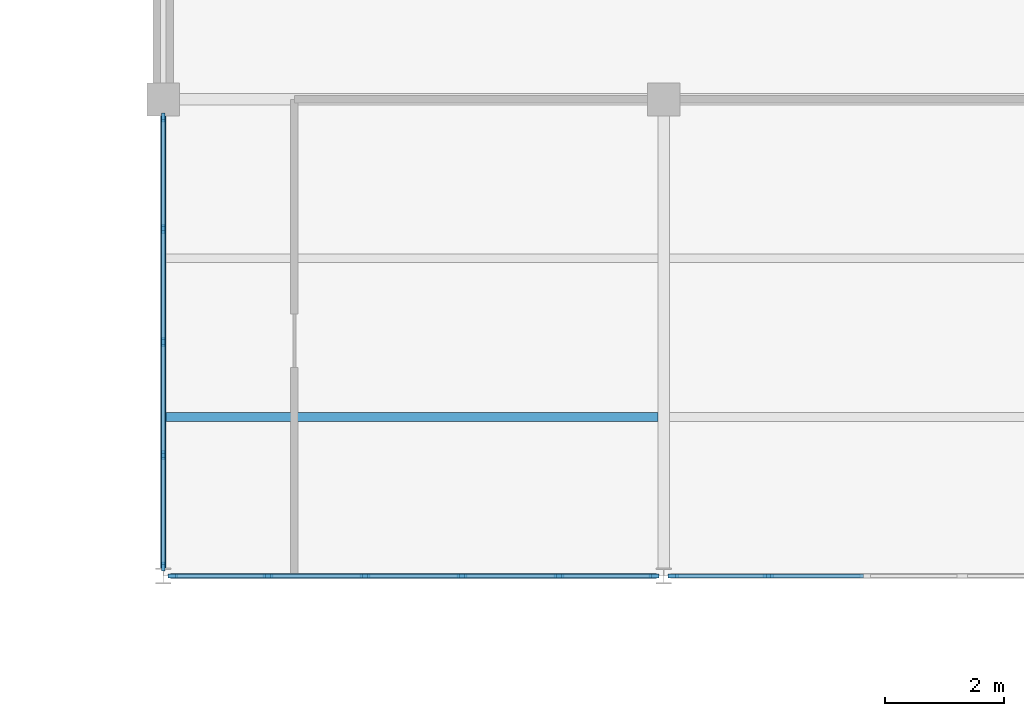
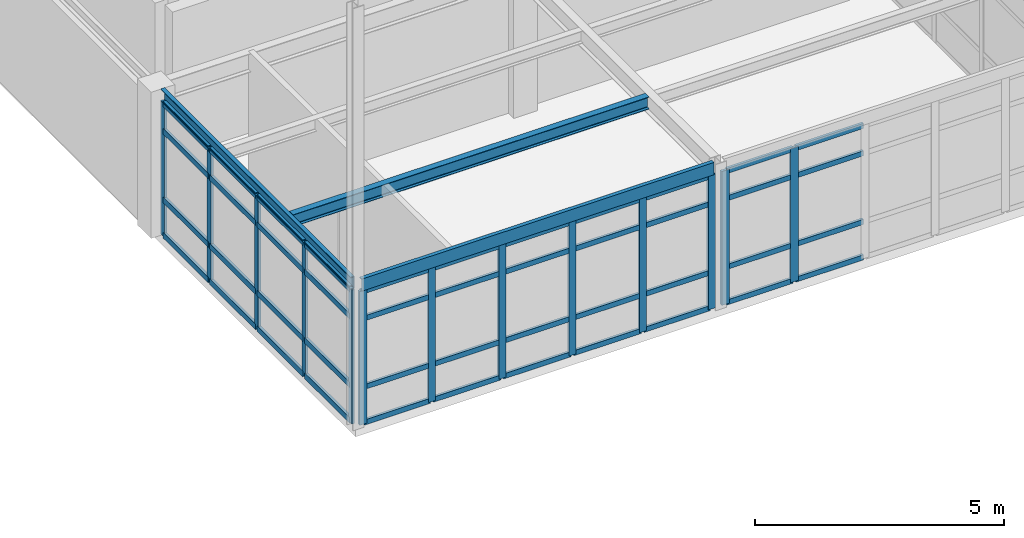
# One storey, part 16 of 53: 57 members, 3 beams, 3 elements without a shape of their own.
"""IFC4 building model written with IfcOpenShell, lengths in metres."""

from ifc_helpers import new_model, si_unit, direction, frame, origin, origin_2d, place, context, subcontext, project, spatial, rectangle, i_section, u_section, extrude, material, layer, layer_set, material_profile, profile_set, type_object, element, aggregate, save


model = new_model("IFC4")

# Units and contexts
model_context = context("Model", 3, precision=1e-05, world=origin(), true_north=direction((0.0, 1.0)))
body_context = subcontext(model_context, "Body", "Model", "MODEL_VIEW")
ifc_project = project(units=[si_unit("LENGTHUNIT", "METRE"), si_unit("AREAUNIT", "SQUARE_METRE"), si_unit("VOLUMEUNIT", "CUBIC_METRE"), si_unit("PLANEANGLEUNIT", "RADIAN"), si_unit("MASSUNIT", "GRAM", prefix="KILO")], contexts=[model_context])

# Site, building, storey
site_placement = place(None, origin())
site = spatial("IfcSite", under=ifc_project, at=site_placement, CompositionType="ELEMENT")
building_placement = place(site_placement, origin())
building = spatial("IfcBuilding", under=site, at=building_placement, Name="Kranzveld Transit Interchange", CompositionType="ELEMENT")
storey_placement = place(building_placement, frame((0.0, 0.0, 13.360107421875)))
storey = spatial("IfcBuildingStorey", under=building, at=storey_placement, Name="L03", CompositionType="ELEMENT", Elevation=13.360107421875)

# Curtain wall, members
ifc_material_1 = material(Name="Bronze-anodised thermally broken aluminium", Category="aluminium")
ifc_layer_1 = layer(ifc_material_1, 0.159912109375)
ifc_layer_set_1 = layer_set([ifc_layer_1], Name="Bronze-anodised thermally broken aluminium")
curtain_wall_type_1 = type_object("IfcCurtainWallType", Name="Bus Boarding Glazed Screen CW-3", PredefinedType="USERDEFINED", material=ifc_layer_set_1)
curtain_wall_1_placement = place(storey_placement, origin())
curtain_wall_1 = element("IfcCurtainWall", 1, at=curtain_wall_1_placement, inside=storey, type_object=curtain_wall_type_1, Name="L03 Curtain Wall 13/J-13/K", ObjectType="CURTAIN WALL", PredefinedType="USERDEFINED")
ifc_material_2 = material(Name="Bronze-anodised thermally broken aluminium", Category="aluminium")
ifc_material_profile_1 = material_profile(ifc_material_2, rectangle(XDim=0.06005859375, YDim=0.14990234375, at=origin_2d()), Name="ALU MULLION 60x150")
ifc_profile_set_1 = profile_set([ifc_material_profile_1], Name="Bronze-anodised thermally broken aluminium")
member_type_1 = type_object("IfcMemberType", Name="Curtain Wall Mullion 60x150 Alu", PredefinedType="MULLION", material=ifc_profile_set_1)
member_1_placement = place(storey_placement, frame((100.800048828125, 64.16015625, 0.0), z_axis=(0.0, 0.0, 1.0), x_axis=(-1.0, 0.0, 0.0)))
member_1 = element("IfcMember", 2, at=member_1_placement, type_object=member_type_1, Name="CW-3 mullion 1", PredefinedType="MULLION", context=body_context, shape_type="SweptSolid", body=[
    extrude(rectangle(XDim=0.06005859375, YDim=0.14990234375, at=origin_2d()), origin(), (0.0, 0.0, 1.0), 3.27978515625),
])
member_2_placement = place(storey_placement, frame((100.800048828125, 66.02880859375, 0.0), z_axis=(0.0, 0.0, 1.0), x_axis=(-1.0, 0.0, 0.0)))
member_2 = element("IfcMember", 3, at=member_2_placement, type_object=member_type_1, Name="CW-3 mullion 2", PredefinedType="MULLION", context=body_context, shape_type="SweptSolid", body=[
    extrude(rectangle(XDim=0.06005859375, YDim=0.14990234375, at=origin_2d()), origin(), (0.0, 0.0, 1.0), 3.27978515625),
])
member_3_placement = place(storey_placement, frame((100.800048828125, 67.927490234375, 0.0), z_axis=(0.0, 0.0, 1.0), x_axis=(-1.0, 0.0, 0.0)))
member_3 = element("IfcMember", 4, at=member_3_placement, type_object=member_type_1, Name="CW-3 mullion 3", PredefinedType="MULLION", context=body_context, shape_type="SweptSolid", body=[
    extrude(rectangle(XDim=0.06005859375, YDim=0.14990234375, at=origin_2d()), origin(), (0.0, 0.0, 1.0), 3.27978515625),
])
member_4_placement = place(storey_placement, frame((100.800048828125, 69.826171875, 0.0), z_axis=(0.0, 0.0, 1.0), x_axis=(-1.0, 0.0, 0.0)))
member_4 = element("IfcMember", 5, at=member_4_placement, type_object=member_type_1, Name="CW-3 mullion 4", PredefinedType="MULLION", context=body_context, shape_type="SweptSolid", body=[
    extrude(rectangle(XDim=0.06005859375, YDim=0.14990234375, at=origin_2d()), origin(), (0.0, 0.0, 1.0), 3.27978515625),
])
member_5_placement = place(storey_placement, frame((100.800048828125, 71.695068359375, 0.0), z_axis=(0.0, 0.0, 1.0), x_axis=(-1.0, 0.0, 0.0)))
member_5 = element("IfcMember", 6, at=member_5_placement, type_object=member_type_1, Name="CW-3 mullion 5", PredefinedType="MULLION", context=body_context, shape_type="SweptSolid", body=[
    extrude(rectangle(XDim=0.06005859375, YDim=0.14990234375, at=origin_2d()), origin(), (0.0, 0.0, 1.0), 3.27978515625),
])

ifc_material_3 = material(Name="Bronze-anodised thermally broken aluminium", Category="aluminium")
ifc_layer_2 = layer(ifc_material_3, 0.155029296875)
ifc_layer_set_2 = layer_set([ifc_layer_2], Name="Bronze-anodised thermally broken aluminium")
curtain_wall_type_2 = type_object("IfcCurtainWallType", Name="Operations Courtyard Glazed Screen CW-6", PredefinedType="USERDEFINED", material=ifc_layer_set_2)
curtain_wall_2_placement = place(storey_placement, origin())
curtain_wall_2 = element("IfcCurtainWall", 7, at=curtain_wall_2_placement, inside=storey, type_object=curtain_wall_type_2, Name="L03 Curtain Wall 13/J-14/J", ObjectType="CURTAIN WALL", PredefinedType="USERDEFINED")
ifc_material_4 = material(Name="Bronze-anodised thermally broken aluminium", Category="aluminium")
ifc_material_profile_2 = material_profile(ifc_material_4, rectangle(XDim=0.06494140625, YDim=0.1650390625, at=origin_2d()), Name="ALU MULLION 65x165")
ifc_profile_set_2 = profile_set([ifc_material_profile_2], Name="Bronze-anodised thermally broken aluminium")
member_type_2 = type_object("IfcMemberType", Name="Curtain Wall Mullion 65x165 Alu", PredefinedType="MULLION", material=ifc_profile_set_2)
member_6_placement = place(storey_placement, frame((100.960693359375, 64.0, 0.0), z_axis=(0.0, 0.0, 1.0), x_axis=(0.0, 1.0, 0.0)))
member_6 = element("IfcMember", 8, at=member_6_placement, type_object=member_type_2, Name="CW-6 mullion 1", PredefinedType="MULLION", context=body_context, shape_type="SweptSolid", body=[
    extrude(rectangle(XDim=0.06494140625, YDim=0.1650390625, at=origin_2d()), origin(), (0.0, 0.0, 1.0), 3.27978515625),
])
member_7_placement = place(storey_placement, frame((102.556884765625, 64.0, 0.0), z_axis=(0.0, 0.0, 1.0), x_axis=(0.0, 1.0, 0.0)))
member_7 = element("IfcMember", 9, at=member_7_placement, type_object=member_type_2, Name="CW-6 mullion 2", PredefinedType="MULLION", context=body_context, shape_type="SweptSolid", body=[
    extrude(rectangle(XDim=0.06494140625, YDim=0.1650390625, at=origin_2d()), origin(), (0.0, 0.0, 1.0), 3.27978515625),
])
member_8_placement = place(storey_placement, frame((104.185546875, 64.0, 0.0), z_axis=(0.0, 0.0, 1.0), x_axis=(0.0, 1.0, 0.0)))
member_8 = element("IfcMember", 10, at=member_8_placement, type_object=member_type_2, Name="CW-6 mullion 3", PredefinedType="MULLION", context=body_context, shape_type="SweptSolid", body=[
    extrude(rectangle(XDim=0.06494140625, YDim=0.1650390625, at=origin_2d()), origin(), (0.0, 0.0, 1.0), 3.27978515625),
])
member_9_placement = place(storey_placement, frame((105.814453125, 64.0, 0.0), z_axis=(0.0, 0.0, 1.0), x_axis=(0.0, 1.0, 0.0)))
member_9 = element("IfcMember", 11, at=member_9_placement, type_object=member_type_2, Name="CW-6 mullion 4", PredefinedType="MULLION", context=body_context, shape_type="SweptSolid", body=[
    extrude(rectangle(XDim=0.06494140625, YDim=0.1650390625, at=origin_2d()), origin(), (0.0, 0.0, 1.0), 3.27978515625),
])
member_10_placement = place(storey_placement, frame((107.443115234375, 64.0, 0.0), z_axis=(0.0, 0.0, 1.0), x_axis=(0.0, 1.0, 0.0)))
member_10 = element("IfcMember", 12, at=member_10_placement, type_object=member_type_2, Name="CW-6 mullion 5", PredefinedType="MULLION", context=body_context, shape_type="SweptSolid", body=[
    extrude(rectangle(XDim=0.06494140625, YDim=0.1650390625, at=origin_2d()), origin(), (0.0, 0.0, 1.0), 3.27978515625),
])
member_11_placement = place(storey_placement, frame((109.039306640625, 64.0, 0.0), z_axis=(0.0, 0.0, 1.0), x_axis=(0.0, 1.0, 0.0)))
member_11 = element("IfcMember", 13, at=member_11_placement, type_object=member_type_2, Name="CW-6 mullion 6", PredefinedType="MULLION", context=body_context, shape_type="SweptSolid", body=[
    extrude(rectangle(XDim=0.06494140625, YDim=0.1650390625, at=origin_2d()), origin(), (0.0, 0.0, 1.0), 3.27978515625),
])

ifc_material_5 = material(Name="Bronze-anodised thermally broken aluminium", Category="aluminium")
ifc_layer_3 = layer(ifc_material_5, 0.1650390625)
ifc_layer_set_3 = layer_set([ifc_layer_3], Name="Bronze-anodised thermally broken aluminium")
curtain_wall_type_3 = type_object("IfcCurtainWallType", Name="Sunny Court Arcade Curtain Wall CW-2", PredefinedType="USERDEFINED", material=ifc_layer_set_3)
curtain_wall_3_placement = place(storey_placement, origin())
curtain_wall_3 = element("IfcCurtainWall", 14, at=curtain_wall_3_placement, inside=storey, type_object=curtain_wall_type_3, Name="L03 Curtain Wall 14/J-15/J", ObjectType="CURTAIN WALL", PredefinedType="USERDEFINED")
ifc_material_6 = material(Name="Bronze-anodised thermally broken aluminium", Category="aluminium")
ifc_material_profile_3 = material_profile(ifc_material_6, rectangle(XDim=0.06494140625, YDim=0.179931640625, at=origin_2d()), Name="ALU MULLION 65x180")
ifc_profile_set_3 = profile_set([ifc_material_profile_3], Name="Bronze-anodised thermally broken aluminium")
member_type_3 = type_object("IfcMemberType", Name="Curtain Wall Mullion 65x180 Alu", PredefinedType="MULLION", material=ifc_profile_set_3)
member_12_placement = place(storey_placement, frame((109.360595703125, 64.0, 0.0), z_axis=(0.0, 0.0, 1.0), x_axis=(0.0, 1.0, 0.0)))
member_12 = element("IfcMember", 15, at=member_12_placement, type_object=member_type_3, Name="CW-2 mullion 1", PredefinedType="MULLION", context=body_context, shape_type="SweptSolid", body=[
    extrude(rectangle(XDim=0.06494140625, YDim=0.179931640625, at=origin_2d()), origin(), (0.0, 0.0, 1.0), 3.27978515625),
])
member_13_placement = place(storey_placement, frame((110.956787109375, 64.0, 0.0), z_axis=(0.0, 0.0, 1.0), x_axis=(0.0, 1.0, 0.0)))
member_13 = element("IfcMember", 16, at=member_13_placement, type_object=member_type_3, Name="CW-2 mullion 2", PredefinedType="MULLION", context=body_context, shape_type="SweptSolid", body=[
    extrude(rectangle(XDim=0.06494140625, YDim=0.179931640625, at=origin_2d()), origin(), (0.0, 0.0, 1.0), 3.27978515625),
])

# Member
ifc_material_7 = material(Name="Bronze-anodised thermally broken aluminium", Category="aluminium")
ifc_material_profile_4 = material_profile(ifc_material_7, rectangle(XDim=0.06005859375, YDim=0.125, at=origin_2d()), Name="ALU TRANSOM 60x125")
ifc_profile_set_4 = profile_set([ifc_material_profile_4], Name="Bronze-anodised thermally broken aluminium")
member_type_4 = type_object("IfcMemberType", Name="Curtain Wall Transom 60x125 Alu", PredefinedType="USERDEFINED", material=ifc_profile_set_4)
member_14_placement = place(storey_placement, frame((100.9931640625, 64.0, 0.02978515625), z_axis=(1.0, 0.0, 0.0), x_axis=(0.0, 1.0, 0.0)))
member_14 = element("IfcMember", 17, at=member_14_placement, type_object=member_type_4, Name="CW-6 transom 1.1", ObjectType="TRANSOM", PredefinedType="USERDEFINED", context=body_context, shape_type="SweptSolid", body=[
    extrude(rectangle(XDim=0.06005859375, YDim=0.125, at=origin_2d()), origin(), (0.0, 0.0, 1.0), 1.53125),
])

member_15_placement = place(storey_placement, frame((100.9931640625, 64.0, 0.89990234375), z_axis=(1.0, 0.0, 0.0), x_axis=(0.0, 1.0, 0.0)))
member_15 = element("IfcMember", 18, at=member_15_placement, type_object=member_type_4, Name="CW-6 transom 1.2", ObjectType="TRANSOM", PredefinedType="USERDEFINED", context=body_context, shape_type="SweptSolid", body=[
    extrude(rectangle(XDim=0.06005859375, YDim=0.125, at=origin_2d()), origin(), (0.0, 0.0, 1.0), 1.53125),
])

member_16_placement = place(storey_placement, frame((100.9931640625, 64.0, 2.579833984375), z_axis=(1.0, 0.0, 0.0), x_axis=(0.0, 1.0, 0.0)))
member_16 = element("IfcMember", 19, at=member_16_placement, type_object=member_type_4, Name="CW-6 transom 1.3", ObjectType="TRANSOM", PredefinedType="USERDEFINED", context=body_context, shape_type="SweptSolid", body=[
    extrude(rectangle(XDim=0.06005859375, YDim=0.125, at=origin_2d()), origin(), (0.0, 0.0, 1.0), 1.53125),
])

member_17_placement = place(storey_placement, frame((100.9931640625, 64.0, 3.25), z_axis=(1.0, 0.0, 0.0), x_axis=(0.0, 1.0, 0.0)))
member_17 = element("IfcMember", 20, at=member_17_placement, type_object=member_type_4, Name="CW-6 transom 1.4", ObjectType="TRANSOM", PredefinedType="USERDEFINED", context=body_context, shape_type="SweptSolid", body=[
    extrude(rectangle(XDim=0.06005859375, YDim=0.125, at=origin_2d()), origin(), (0.0, 0.0, 1.0), 1.53125),
])

member_18_placement = place(storey_placement, frame((102.58935546875, 64.0, 0.02978515625), z_axis=(1.0, 0.0, 0.0), x_axis=(0.0, 1.0, 0.0)))
member_18 = element("IfcMember", 21, at=member_18_placement, type_object=member_type_4, Name="CW-6 transom 2.1", ObjectType="TRANSOM", PredefinedType="USERDEFINED", context=body_context, shape_type="SweptSolid", body=[
    extrude(rectangle(XDim=0.06005859375, YDim=0.125, at=origin_2d()), origin(), (0.0, 0.0, 1.0), 1.563720703125),
])

member_19_placement = place(storey_placement, frame((102.58935546875, 64.0, 0.89990234375), z_axis=(1.0, 0.0, 0.0), x_axis=(0.0, 1.0, 0.0)))
member_19 = element("IfcMember", 22, at=member_19_placement, type_object=member_type_4, Name="CW-6 transom 2.2", ObjectType="TRANSOM", PredefinedType="USERDEFINED", context=body_context, shape_type="SweptSolid", body=[
    extrude(rectangle(XDim=0.06005859375, YDim=0.125, at=origin_2d()), origin(), (0.0, 0.0, 1.0), 1.563720703125),
])

member_20_placement = place(storey_placement, frame((102.58935546875, 64.0, 2.579833984375), z_axis=(1.0, 0.0, 0.0), x_axis=(0.0, 1.0, 0.0)))
member_20 = element("IfcMember", 23, at=member_20_placement, type_object=member_type_4, Name="CW-6 transom 2.3", ObjectType="TRANSOM", PredefinedType="USERDEFINED", context=body_context, shape_type="SweptSolid", body=[
    extrude(rectangle(XDim=0.06005859375, YDim=0.125, at=origin_2d()), origin(), (0.0, 0.0, 1.0), 1.563720703125),
])

member_21_placement = place(storey_placement, frame((102.58935546875, 64.0, 3.25), z_axis=(1.0, 0.0, 0.0), x_axis=(0.0, 1.0, 0.0)))
member_21 = element("IfcMember", 24, at=member_21_placement, type_object=member_type_4, Name="CW-6 transom 2.4", ObjectType="TRANSOM", PredefinedType="USERDEFINED", context=body_context, shape_type="SweptSolid", body=[
    extrude(rectangle(XDim=0.06005859375, YDim=0.125, at=origin_2d()), origin(), (0.0, 0.0, 1.0), 1.563720703125),
])

member_22_placement = place(storey_placement, frame((104.218017578125, 64.0, 0.02978515625), z_axis=(1.0, 0.0, 0.0), x_axis=(0.0, 1.0, 0.0)))
member_22 = element("IfcMember", 25, at=member_22_placement, type_object=member_type_4, Name="CW-6 transom 3.1", ObjectType="TRANSOM", PredefinedType="USERDEFINED", context=body_context, shape_type="SweptSolid", body=[
    extrude(rectangle(XDim=0.06005859375, YDim=0.125, at=origin_2d()), origin(), (0.0, 0.0, 1.0), 1.56396484375),
])

member_23_placement = place(storey_placement, frame((104.218017578125, 64.0, 0.89990234375), z_axis=(1.0, 0.0, 0.0), x_axis=(0.0, 1.0, 0.0)))
member_23 = element("IfcMember", 26, at=member_23_placement, type_object=member_type_4, Name="CW-6 transom 3.2", ObjectType="TRANSOM", PredefinedType="USERDEFINED", context=body_context, shape_type="SweptSolid", body=[
    extrude(rectangle(XDim=0.06005859375, YDim=0.125, at=origin_2d()), origin(), (0.0, 0.0, 1.0), 1.56396484375),
])

member_24_placement = place(storey_placement, frame((104.218017578125, 64.0, 2.579833984375), z_axis=(1.0, 0.0, 0.0), x_axis=(0.0, 1.0, 0.0)))
member_24 = element("IfcMember", 27, at=member_24_placement, type_object=member_type_4, Name="CW-6 transom 3.3", ObjectType="TRANSOM", PredefinedType="USERDEFINED", context=body_context, shape_type="SweptSolid", body=[
    extrude(rectangle(XDim=0.06005859375, YDim=0.125, at=origin_2d()), origin(), (0.0, 0.0, 1.0), 1.56396484375),
])

member_25_placement = place(storey_placement, frame((104.218017578125, 64.0, 3.25), z_axis=(1.0, 0.0, 0.0), x_axis=(0.0, 1.0, 0.0)))
member_25 = element("IfcMember", 28, at=member_25_placement, type_object=member_type_4, Name="CW-6 transom 3.4", ObjectType="TRANSOM", PredefinedType="USERDEFINED", context=body_context, shape_type="SweptSolid", body=[
    extrude(rectangle(XDim=0.06005859375, YDim=0.125, at=origin_2d()), origin(), (0.0, 0.0, 1.0), 1.56396484375),
])

member_26_placement = place(storey_placement, frame((105.846923828125, 64.0, 0.02978515625), z_axis=(1.0, 0.0, 0.0), x_axis=(0.0, 1.0, 0.0)))
member_26 = element("IfcMember", 29, at=member_26_placement, type_object=member_type_4, Name="CW-6 transom 4.1", ObjectType="TRANSOM", PredefinedType="USERDEFINED", context=body_context, shape_type="SweptSolid", body=[
    extrude(rectangle(XDim=0.06005859375, YDim=0.125, at=origin_2d()), origin(), (0.0, 0.0, 1.0), 1.563720703125),
])

member_27_placement = place(storey_placement, frame((105.846923828125, 64.0, 0.89990234375), z_axis=(1.0, 0.0, 0.0), x_axis=(0.0, 1.0, 0.0)))
member_27 = element("IfcMember", 30, at=member_27_placement, type_object=member_type_4, Name="CW-6 transom 4.2", ObjectType="TRANSOM", PredefinedType="USERDEFINED", context=body_context, shape_type="SweptSolid", body=[
    extrude(rectangle(XDim=0.06005859375, YDim=0.125, at=origin_2d()), origin(), (0.0, 0.0, 1.0), 1.563720703125),
])

member_28_placement = place(storey_placement, frame((105.846923828125, 64.0, 2.579833984375), z_axis=(1.0, 0.0, 0.0), x_axis=(0.0, 1.0, 0.0)))
member_28 = element("IfcMember", 31, at=member_28_placement, type_object=member_type_4, Name="CW-6 transom 4.3", ObjectType="TRANSOM", PredefinedType="USERDEFINED", context=body_context, shape_type="SweptSolid", body=[
    extrude(rectangle(XDim=0.06005859375, YDim=0.125, at=origin_2d()), origin(), (0.0, 0.0, 1.0), 1.563720703125),
])

member_29_placement = place(storey_placement, frame((105.846923828125, 64.0, 3.25), z_axis=(1.0, 0.0, 0.0), x_axis=(0.0, 1.0, 0.0)))
member_29 = element("IfcMember", 32, at=member_29_placement, type_object=member_type_4, Name="CW-6 transom 4.4", ObjectType="TRANSOM", PredefinedType="USERDEFINED", context=body_context, shape_type="SweptSolid", body=[
    extrude(rectangle(XDim=0.06005859375, YDim=0.125, at=origin_2d()), origin(), (0.0, 0.0, 1.0), 1.563720703125),
])

member_30_placement = place(storey_placement, frame((107.4755859375, 64.0, 0.02978515625), z_axis=(1.0, 0.0, 0.0), x_axis=(0.0, 1.0, 0.0)))
member_30 = element("IfcMember", 33, at=member_30_placement, type_object=member_type_4, Name="CW-6 transom 5.1", ObjectType="TRANSOM", PredefinedType="USERDEFINED", context=body_context, shape_type="SweptSolid", body=[
    extrude(rectangle(XDim=0.06005859375, YDim=0.125, at=origin_2d()), origin(), (0.0, 0.0, 1.0), 1.53125),
])

member_31_placement = place(storey_placement, frame((107.4755859375, 64.0, 0.89990234375), z_axis=(1.0, 0.0, 0.0), x_axis=(0.0, 1.0, 0.0)))
member_31 = element("IfcMember", 34, at=member_31_placement, type_object=member_type_4, Name="CW-6 transom 5.2", ObjectType="TRANSOM", PredefinedType="USERDEFINED", context=body_context, shape_type="SweptSolid", body=[
    extrude(rectangle(XDim=0.06005859375, YDim=0.125, at=origin_2d()), origin(), (0.0, 0.0, 1.0), 1.53125),
])

member_32_placement = place(storey_placement, frame((107.4755859375, 64.0, 2.579833984375), z_axis=(1.0, 0.0, 0.0), x_axis=(0.0, 1.0, 0.0)))
member_32 = element("IfcMember", 35, at=member_32_placement, type_object=member_type_4, Name="CW-6 transom 5.3", ObjectType="TRANSOM", PredefinedType="USERDEFINED", context=body_context, shape_type="SweptSolid", body=[
    extrude(rectangle(XDim=0.06005859375, YDim=0.125, at=origin_2d()), origin(), (0.0, 0.0, 1.0), 1.53125),
])

member_33_placement = place(storey_placement, frame((107.4755859375, 64.0, 3.25), z_axis=(1.0, 0.0, 0.0), x_axis=(0.0, 1.0, 0.0)))
member_33 = element("IfcMember", 36, at=member_33_placement, type_object=member_type_4, Name="CW-6 transom 5.4", ObjectType="TRANSOM", PredefinedType="USERDEFINED", context=body_context, shape_type="SweptSolid", body=[
    extrude(rectangle(XDim=0.06005859375, YDim=0.125, at=origin_2d()), origin(), (0.0, 0.0, 1.0), 1.53125),
])

aggregate(curtain_wall_2, [member_6, member_7, member_8, member_9, member_10, member_11, member_14, member_15, member_16, member_17, member_18, member_19, member_20, member_21, member_22, member_23, member_24, member_25, member_26, member_27, member_28, member_29, member_30, member_31, member_32, member_33])

member_34_placement = place(storey_placement, frame((109.39306640625, 64.0, 0.02978515625), z_axis=(1.0, 0.0, 0.0), x_axis=(0.0, 1.0, 0.0)))
member_34 = element("IfcMember", 37, at=member_34_placement, type_object=member_type_4, Name="CW-2 transom 1.1", ObjectType="TRANSOM", PredefinedType="USERDEFINED", context=body_context, shape_type="SweptSolid", body=[
    extrude(rectangle(XDim=0.06005859375, YDim=0.125, at=origin_2d()), origin(), (0.0, 0.0, 1.0), 1.53125),
])

member_35_placement = place(storey_placement, frame((109.39306640625, 64.0, 0.89990234375), z_axis=(1.0, 0.0, 0.0), x_axis=(0.0, 1.0, 0.0)))
member_35 = element("IfcMember", 38, at=member_35_placement, type_object=member_type_4, Name="CW-2 transom 1.2", ObjectType="TRANSOM", PredefinedType="USERDEFINED", context=body_context, shape_type="SweptSolid", body=[
    extrude(rectangle(XDim=0.06005859375, YDim=0.125, at=origin_2d()), origin(), (0.0, 0.0, 1.0), 1.53125),
])

member_36_placement = place(storey_placement, frame((109.39306640625, 64.0, 2.579833984375), z_axis=(1.0, 0.0, 0.0), x_axis=(0.0, 1.0, 0.0)))
member_36 = element("IfcMember", 39, at=member_36_placement, type_object=member_type_4, Name="CW-2 transom 1.3", ObjectType="TRANSOM", PredefinedType="USERDEFINED", context=body_context, shape_type="SweptSolid", body=[
    extrude(rectangle(XDim=0.06005859375, YDim=0.125, at=origin_2d()), origin(), (0.0, 0.0, 1.0), 1.53125),
])

member_37_placement = place(storey_placement, frame((109.39306640625, 64.0, 3.25), z_axis=(1.0, 0.0, 0.0), x_axis=(0.0, 1.0, 0.0)))
member_37 = element("IfcMember", 40, at=member_37_placement, type_object=member_type_4, Name="CW-2 transom 1.4", ObjectType="TRANSOM", PredefinedType="USERDEFINED", context=body_context, shape_type="SweptSolid", body=[
    extrude(rectangle(XDim=0.06005859375, YDim=0.125, at=origin_2d()), origin(), (0.0, 0.0, 1.0), 1.53125),
])

member_38_placement = place(storey_placement, frame((110.9892578125, 64.0, 0.02978515625), z_axis=(1.0, 0.0, 0.0), x_axis=(0.0, 1.0, 0.0)))
member_38 = element("IfcMember", 41, at=member_38_placement, type_object=member_type_4, Name="CW-2 transom 2.1", ObjectType="TRANSOM", PredefinedType="USERDEFINED", context=body_context, shape_type="SweptSolid", body=[
    extrude(rectangle(XDim=0.06005859375, YDim=0.125, at=origin_2d()), origin(), (0.0, 0.0, 1.0), 1.56396484375),
])

member_39_placement = place(storey_placement, frame((110.9892578125, 64.0, 0.89990234375), z_axis=(1.0, 0.0, 0.0), x_axis=(0.0, 1.0, 0.0)))
member_39 = element("IfcMember", 42, at=member_39_placement, type_object=member_type_4, Name="CW-2 transom 2.2", ObjectType="TRANSOM", PredefinedType="USERDEFINED", context=body_context, shape_type="SweptSolid", body=[
    extrude(rectangle(XDim=0.06005859375, YDim=0.125, at=origin_2d()), origin(), (0.0, 0.0, 1.0), 1.56396484375),
])

member_40_placement = place(storey_placement, frame((110.9892578125, 64.0, 2.579833984375), z_axis=(1.0, 0.0, 0.0), x_axis=(0.0, 1.0, 0.0)))
member_40 = element("IfcMember", 43, at=member_40_placement, type_object=member_type_4, Name="CW-2 transom 2.3", ObjectType="TRANSOM", PredefinedType="USERDEFINED", context=body_context, shape_type="SweptSolid", body=[
    extrude(rectangle(XDim=0.06005859375, YDim=0.125, at=origin_2d()), origin(), (0.0, 0.0, 1.0), 1.56396484375),
])

member_41_placement = place(storey_placement, frame((110.9892578125, 64.0, 3.25), z_axis=(1.0, 0.0, 0.0), x_axis=(0.0, 1.0, 0.0)))
member_41 = element("IfcMember", 44, at=member_41_placement, type_object=member_type_4, Name="CW-2 transom 2.4", ObjectType="TRANSOM", PredefinedType="USERDEFINED", context=body_context, shape_type="SweptSolid", body=[
    extrude(rectangle(XDim=0.06005859375, YDim=0.125, at=origin_2d()), origin(), (0.0, 0.0, 1.0), 1.56396484375),
])

aggregate(curtain_wall_3, [member_12, member_13, member_34, member_35, member_36, member_37, member_38, member_39, member_40, member_41])

ifc_material_8 = material(Name="Bronze-anodised thermally broken aluminium", Category="aluminium")
ifc_material_profile_5 = material_profile(ifc_material_8, rectangle(XDim=0.06494140625, YDim=0.139892578125, at=origin_2d()), Name="ALU TRANSOM 65x140")
ifc_profile_set_5 = profile_set([ifc_material_profile_5], Name="Bronze-anodised thermally broken aluminium")
member_type_5 = type_object("IfcMemberType", Name="Curtain Wall Transom 65x140 Alu", PredefinedType="USERDEFINED", material=ifc_profile_set_5)
member_42_placement = place(storey_placement, frame((100.800048828125, 64.190185546875, 0.032470703125), z_axis=(0.0, 1.0, 0.0), x_axis=(-1.0, 0.0, 0.0)))
member_42 = element("IfcMember", 45, at=member_42_placement, type_object=member_type_5, Name="CW-3 transom 1.1", ObjectType="TRANSOM", PredefinedType="USERDEFINED", context=body_context, shape_type="SweptSolid", body=[
    extrude(rectangle(XDim=0.06494140625, YDim=0.139892578125, at=origin_2d()), origin(), (0.0, 0.0, 1.0), 1.80859375),
])

member_43_placement = place(storey_placement, frame((100.800048828125, 64.190185546875, 0.89990234375), z_axis=(0.0, 1.0, 0.0), x_axis=(-1.0, 0.0, 0.0)))
member_43 = element("IfcMember", 46, at=member_43_placement, type_object=member_type_5, Name="CW-3 transom 1.2", ObjectType="TRANSOM", PredefinedType="USERDEFINED", context=body_context, shape_type="SweptSolid", body=[
    extrude(rectangle(XDim=0.06494140625, YDim=0.139892578125, at=origin_2d()), origin(), (0.0, 0.0, 1.0), 1.80859375),
])

member_44_placement = place(storey_placement, frame((100.800048828125, 64.190185546875, 2.579833984375), z_axis=(0.0, 1.0, 0.0), x_axis=(-1.0, 0.0, 0.0)))
member_44 = element("IfcMember", 47, at=member_44_placement, type_object=member_type_5, Name="CW-3 transom 1.3", ObjectType="TRANSOM", PredefinedType="USERDEFINED", context=body_context, shape_type="SweptSolid", body=[
    extrude(rectangle(XDim=0.06494140625, YDim=0.139892578125, at=origin_2d()), origin(), (0.0, 0.0, 1.0), 1.80859375),
])

member_45_placement = place(storey_placement, frame((100.800048828125, 64.190185546875, 3.247314453125), z_axis=(0.0, 1.0, 0.0), x_axis=(-1.0, 0.0, 0.0)))
member_45 = element("IfcMember", 48, at=member_45_placement, type_object=member_type_5, Name="CW-3 transom 1.4", ObjectType="TRANSOM", PredefinedType="USERDEFINED", context=body_context, shape_type="SweptSolid", body=[
    extrude(rectangle(XDim=0.06494140625, YDim=0.139892578125, at=origin_2d()), origin(), (0.0, 0.0, 1.0), 1.80859375),
])

member_46_placement = place(storey_placement, frame((100.800048828125, 66.058837890625, 0.032470703125), z_axis=(0.0, 1.0, 0.0), x_axis=(-1.0, 0.0, 0.0)))
member_46 = element("IfcMember", 49, at=member_46_placement, type_object=member_type_5, Name="CW-3 transom 2.1", ObjectType="TRANSOM", PredefinedType="USERDEFINED", context=body_context, shape_type="SweptSolid", body=[
    extrude(rectangle(XDim=0.06494140625, YDim=0.139892578125, at=origin_2d()), origin(), (0.0, 0.0, 1.0), 1.838623046875),
])

member_47_placement = place(storey_placement, frame((100.800048828125, 66.058837890625, 0.89990234375), z_axis=(0.0, 1.0, 0.0), x_axis=(-1.0, 0.0, 0.0)))
member_47 = element("IfcMember", 50, at=member_47_placement, type_object=member_type_5, Name="CW-3 transom 2.2", ObjectType="TRANSOM", PredefinedType="USERDEFINED", context=body_context, shape_type="SweptSolid", body=[
    extrude(rectangle(XDim=0.06494140625, YDim=0.139892578125, at=origin_2d()), origin(), (0.0, 0.0, 1.0), 1.838623046875),
])

member_48_placement = place(storey_placement, frame((100.800048828125, 66.058837890625, 2.579833984375), z_axis=(0.0, 1.0, 0.0), x_axis=(-1.0, 0.0, 0.0)))
member_48 = element("IfcMember", 51, at=member_48_placement, type_object=member_type_5, Name="CW-3 transom 2.3", ObjectType="TRANSOM", PredefinedType="USERDEFINED", context=body_context, shape_type="SweptSolid", body=[
    extrude(rectangle(XDim=0.06494140625, YDim=0.139892578125, at=origin_2d()), origin(), (0.0, 0.0, 1.0), 1.838623046875),
])

member_49_placement = place(storey_placement, frame((100.800048828125, 66.058837890625, 3.247314453125), z_axis=(0.0, 1.0, 0.0), x_axis=(-1.0, 0.0, 0.0)))
member_49 = element("IfcMember", 52, at=member_49_placement, type_object=member_type_5, Name="CW-3 transom 2.4", ObjectType="TRANSOM", PredefinedType="USERDEFINED", context=body_context, shape_type="SweptSolid", body=[
    extrude(rectangle(XDim=0.06494140625, YDim=0.139892578125, at=origin_2d()), origin(), (0.0, 0.0, 1.0), 1.838623046875),
])

member_50_placement = place(storey_placement, frame((100.800048828125, 67.95751953125, 0.032470703125), z_axis=(0.0, 1.0, 0.0), x_axis=(-1.0, 0.0, 0.0)))
member_50 = element("IfcMember", 53, at=member_50_placement, type_object=member_type_5, Name="CW-3 transom 3.1", ObjectType="TRANSOM", PredefinedType="USERDEFINED", context=body_context, shape_type="SweptSolid", body=[
    extrude(rectangle(XDim=0.06494140625, YDim=0.139892578125, at=origin_2d()), origin(), (0.0, 0.0, 1.0), 1.8388671875),
])

member_51_placement = place(storey_placement, frame((100.800048828125, 67.95751953125, 0.89990234375), z_axis=(0.0, 1.0, 0.0), x_axis=(-1.0, 0.0, 0.0)))
member_51 = element("IfcMember", 54, at=member_51_placement, type_object=member_type_5, Name="CW-3 transom 3.2", ObjectType="TRANSOM", PredefinedType="USERDEFINED", context=body_context, shape_type="SweptSolid", body=[
    extrude(rectangle(XDim=0.06494140625, YDim=0.139892578125, at=origin_2d()), origin(), (0.0, 0.0, 1.0), 1.8388671875),
])

member_52_placement = place(storey_placement, frame((100.800048828125, 67.95751953125, 2.579833984375), z_axis=(0.0, 1.0, 0.0), x_axis=(-1.0, 0.0, 0.0)))
member_52 = element("IfcMember", 55, at=member_52_placement, type_object=member_type_5, Name="CW-3 transom 3.3", ObjectType="TRANSOM", PredefinedType="USERDEFINED", context=body_context, shape_type="SweptSolid", body=[
    extrude(rectangle(XDim=0.06494140625, YDim=0.139892578125, at=origin_2d()), origin(), (0.0, 0.0, 1.0), 1.8388671875),
])

member_53_placement = place(storey_placement, frame((100.800048828125, 67.95751953125, 3.247314453125), z_axis=(0.0, 1.0, 0.0), x_axis=(-1.0, 0.0, 0.0)))
member_53 = element("IfcMember", 56, at=member_53_placement, type_object=member_type_5, Name="CW-3 transom 3.4", ObjectType="TRANSOM", PredefinedType="USERDEFINED", context=body_context, shape_type="SweptSolid", body=[
    extrude(rectangle(XDim=0.06494140625, YDim=0.139892578125, at=origin_2d()), origin(), (0.0, 0.0, 1.0), 1.8388671875),
])

member_54_placement = place(storey_placement, frame((100.800048828125, 69.856201171875, 0.032470703125), z_axis=(0.0, 1.0, 0.0), x_axis=(-1.0, 0.0, 0.0)))
member_54 = element("IfcMember", 57, at=member_54_placement, type_object=member_type_5, Name="CW-3 transom 4.1", ObjectType="TRANSOM", PredefinedType="USERDEFINED", context=body_context, shape_type="SweptSolid", body=[
    extrude(rectangle(XDim=0.06494140625, YDim=0.139892578125, at=origin_2d()), origin(), (0.0, 0.0, 1.0), 1.808837890625),
])

member_55_placement = place(storey_placement, frame((100.800048828125, 69.856201171875, 0.89990234375), z_axis=(0.0, 1.0, 0.0), x_axis=(-1.0, 0.0, 0.0)))
member_55 = element("IfcMember", 58, at=member_55_placement, type_object=member_type_5, Name="CW-3 transom 4.2", ObjectType="TRANSOM", PredefinedType="USERDEFINED", context=body_context, shape_type="SweptSolid", body=[
    extrude(rectangle(XDim=0.06494140625, YDim=0.139892578125, at=origin_2d()), origin(), (0.0, 0.0, 1.0), 1.808837890625),
])

member_56_placement = place(storey_placement, frame((100.800048828125, 69.856201171875, 2.579833984375), z_axis=(0.0, 1.0, 0.0), x_axis=(-1.0, 0.0, 0.0)))
member_56 = element("IfcMember", 59, at=member_56_placement, type_object=member_type_5, Name="CW-3 transom 4.3", ObjectType="TRANSOM", PredefinedType="USERDEFINED", context=body_context, shape_type="SweptSolid", body=[
    extrude(rectangle(XDim=0.06494140625, YDim=0.139892578125, at=origin_2d()), origin(), (0.0, 0.0, 1.0), 1.808837890625),
])

member_57_placement = place(storey_placement, frame((100.800048828125, 69.856201171875, 3.247314453125), z_axis=(0.0, 1.0, 0.0), x_axis=(-1.0, 0.0, 0.0)))
member_57 = element("IfcMember", 60, at=member_57_placement, type_object=member_type_5, Name="CW-3 transom 4.4", ObjectType="TRANSOM", PredefinedType="USERDEFINED", context=body_context, shape_type="SweptSolid", body=[
    extrude(rectangle(XDim=0.06494140625, YDim=0.139892578125, at=origin_2d()), origin(), (0.0, 0.0, 1.0), 1.808837890625),
])

aggregate(curtain_wall_1, [member_1, member_2, member_3, member_4, member_5, member_42, member_43, member_44, member_45, member_46, member_47, member_48, member_49, member_50, member_51, member_52, member_53, member_54, member_55, member_56, member_57])

# Beams
ifc_material_9 = material(Name="Steel S355JR", Category="steel")
ifc_material_profile_6 = material_profile(ifc_material_9, i_section(OverallWidth=0.14990234375, OverallDepth=0.300048828125, WebThickness=0.007080078125, FlangeThickness=0.0107421875, FilletRadius=0.014892578125, at=origin_2d()), Name="IPE 300")
ifc_profile_set_6 = profile_set([ifc_material_profile_6], Name="Steel S355JR")
beam_type_1 = type_object("IfcBeamType", Name="Deck Joist IPE 300 S355JR", PredefinedType="JOIST", material=ifc_profile_set_6)
beam_1_placement = place(storey_placement, frame((100.846923828125, 66.666748046875, 3.429931640625), z_axis=(1.0, 0.0, 0.0), x_axis=(0.0, 1.0, 0.0)))
element("IfcBeam", 61, at=beam_1_placement, inside=storey, type_object=beam_type_1, Name="L03 Secondary Joist 13-14/J.1", PredefinedType="JOIST", context=body_context, shape_type="SweptSolid", body=[
    extrude(i_section(OverallWidth=0.14990234375, OverallDepth=0.300048828125, WebThickness=0.007080078125, FlangeThickness=0.0107421875, FilletRadius=0.014892578125, at=origin_2d()), origin(), (0.0, 0.0, 1.0), 8.256103515625),
])
ifc_material_10 = material(Name="Steel S355JR", Category="steel")
ifc_material_profile_7 = material_profile(ifc_material_10, u_section(Depth=0.300048828125, FlangeWidth=0.090087890625, WebThickness=0.009033203125, FlangeThickness=0.015380859375, FilletRadius=0.011962890625, at=origin_2d()), Name="PFC 300x90x41")
ifc_profile_set_7 = profile_set([ifc_material_profile_7], Name="Steel S355JR")
beam_type_2 = type_object("IfcBeamType", Name="Edge Spandrel PFC 300x90x41 S355JR", PredefinedType="SPANDREL", material=ifc_profile_set_7)
beam_2_placement = place(storey_placement, frame((100.918212890625, 64.0, 3.429931640625), z_axis=(1.0, 0.0, 0.0), x_axis=(0.0, 1.0, 0.0)))
element("IfcBeam", 62, at=beam_2_placement, inside=storey, type_object=beam_type_2, Name="L03 Girder 13-14/J", PredefinedType="SPANDREL", context=body_context, shape_type="SweptSolid", body=[
    extrude(u_section(Depth=0.300048828125, FlangeWidth=0.090087890625, WebThickness=0.009033203125, FlangeThickness=0.015380859375, FilletRadius=0.011962890625, at=origin_2d()), origin(), (0.0, 0.0, 1.0), 8.16357421875),
])
beam_3_placement = place(storey_placement, frame((100.800048828125, 64.1201171875, 3.429931640625), z_axis=(0.0, 1.0, 0.0), x_axis=(-1.0, 0.0, 0.0)))
element("IfcBeam", 63, at=beam_3_placement, inside=storey, type_object=beam_type_2, Name="L03 Girder 13/J-K", PredefinedType="SPANDREL", context=body_context, shape_type="SweptSolid", body=[
    extrude(u_section(Depth=0.300048828125, FlangeWidth=0.090087890625, WebThickness=0.009033203125, FlangeThickness=0.015380859375, FilletRadius=0.011962890625, at=origin_2d()), origin(), (0.0, 0.0, 1.0), 7.614990234375),
])

save(model, "model.ifc")
